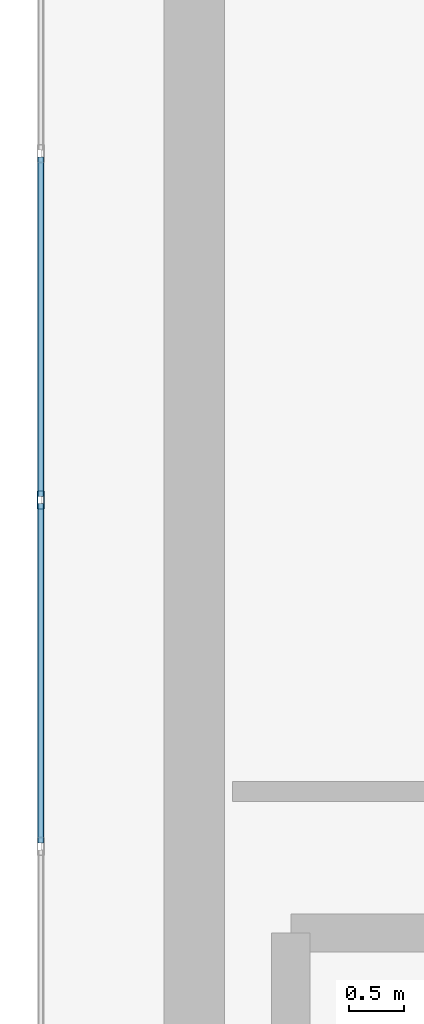
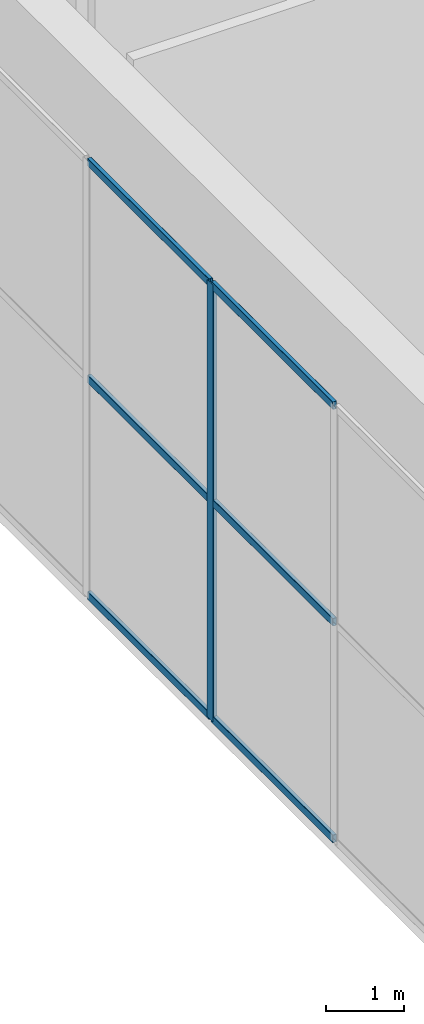
# One storey, part 5 of 23: 7 members, 1 element without a shape of its own.
"""IFC4 building model written with IfcOpenShell, lengths in metres."""

from ifc_helpers import new_model, si_unit, direction, frame, origin, origin_2d, place, context, subcontext, project, spatial, hollow_rectangle, extrude, material, layer, layer_set, material_profile, profile_set, type_object, element, aggregate, save


model = new_model("IFC4")

# Units and contexts
model_context = context("Model", 3, precision=1e-05, world=origin(), true_north=direction((0.0, 1.0)))
body_context = subcontext(model_context, "Body", "Model", "MODEL_VIEW")
ifc_project = project(units=[si_unit("LENGTHUNIT", "METRE"), si_unit("AREAUNIT", "SQUARE_METRE"), si_unit("VOLUMEUNIT", "CUBIC_METRE"), si_unit("PLANEANGLEUNIT", "RADIAN"), si_unit("MASSUNIT", "GRAM", prefix="KILO")], contexts=[model_context])

# Site, building, storey
site_placement = place(None, origin())
site = spatial("IfcSite", under=ifc_project, at=site_placement, CompositionType="ELEMENT")
building_placement = place(site_placement, origin())
building = spatial("IfcBuilding", under=site, at=building_placement, Name="An Khanh Terracotta Commons", CompositionType="ELEMENT")
storey_placement = place(building_placement, frame((0.0, 0.0, 322.0)))
storey = spatial("IfcBuildingStorey", under=building, at=storey_placement, Name="L81 Crown Heat-Recovery Plant", CompositionType="ELEMENT", Elevation=322.0)

# Curtain wall, members
ifc_material = material(Name="Anodised Aluminium 6063-T6", Category="aluminium")
ifc_layer = layer(ifc_material, 0.18994140625, Name="Anodised Aluminium 6063-T6")
ifc_layer_set = layer_set([ifc_layer], Name="Anodised Aluminium 6063-T6")
curtain_wall_type = type_object("IfcCurtainWallType", Name="CW-SYS-06", PredefinedType="USERDEFINED", material=ifc_layer_set)
curtain_wall_placement = place(storey_placement, origin())
curtain_wall = element("IfcCurtainWall", 1, at=curtain_wall_placement, inside=storey, type_object=curtain_wall_type, Name="L81 Crown Heat-Recovery Plant CW-06 Unitised Curtain Wall CW-L81-24", ObjectType="UNITISED CURTAIN WALL", PredefinedType="USERDEFINED")
ifc_material_profile_1 = material_profile(ifc_material, hollow_rectangle(XDim=0.06494140625, YDim=0.1650390625, WallThickness=0.00390625, InnerFilletRadius=0.00390625, OuterFilletRadius=0.008056640625, at=origin_2d()), Name="RHS165x65x4")
ifc_profile_set_1 = profile_set([ifc_material_profile_1], Name="Anodised Aluminium 6063-T6")
member_type_1 = type_object("IfcMemberType", Name="CWM-RHS165x65x4", PredefinedType="MULLION", material=ifc_profile_set_1)
member_1_placement = place(storey_placement, frame((20.199951171875, 22.419921875, 0.0), z_axis=(0.0, 0.0, 1.0), x_axis=(1.0, 0.0, 0.0)))
member_1 = element("IfcMember", 2, at=member_1_placement, type_object=member_type_1, Name="CW-06 mullion 4", PredefinedType="MULLION", context=body_context, shape_type="SweptSolid", body=[
    extrude(hollow_rectangle(XDim=0.06494140625, YDim=0.1650390625, WallThickness=0.00390625, InnerFilletRadius=0.00390625, OuterFilletRadius=0.008056640625, at=origin_2d()), origin(), (0.0, 0.0, 1.0), 6.800048828125),
])
ifc_material_profile_2 = material_profile(ifc_material, hollow_rectangle(XDim=0.06005859375, YDim=0.1201171875, WallThickness=0.003662109375, InnerFilletRadius=0.003662109375, OuterFilletRadius=0.007080078125, at=origin_2d()), Name="RHS120x60x3.6")
ifc_profile_set_2 = profile_set([ifc_material_profile_2], Name="Anodised Aluminium 6063-T6")
member_type_2 = type_object("IfcMemberType", Name="CWT-RHS120x60x3.6", PredefinedType="USERDEFINED", material=ifc_profile_set_2)
member_2_placement = place(storey_placement, frame((20.199951171875, 25.547607421875, 0.030029296875), z_axis=(0.0, -1.0, 0.0), x_axis=(1.0, 0.0, 0.0)))
member_2 = element("IfcMember", 3, at=member_2_placement, type_object=member_type_2, Name="CW-06 transom 3.1", ObjectType="TRANSOM", PredefinedType="USERDEFINED", context=body_context, shape_type="SweptSolid", body=[
    extrude(hollow_rectangle(XDim=0.06005859375, YDim=0.1201171875, WallThickness=0.003662109375, InnerFilletRadius=0.003662109375, OuterFilletRadius=0.007080078125, at=origin_2d()), origin(), (0.0, 0.0, 1.0), 3.09521484375),
])
member_3_placement = place(storey_placement, frame((20.199951171875, 25.547607421875, 3.39990234375), z_axis=(0.0, -1.0, 0.0), x_axis=(1.0, 0.0, 0.0)))
member_3 = element("IfcMember", 4, at=member_3_placement, type_object=member_type_2, Name="CW-06 transom 3.2", ObjectType="TRANSOM", PredefinedType="USERDEFINED", context=body_context, shape_type="SweptSolid", body=[
    extrude(hollow_rectangle(XDim=0.06005859375, YDim=0.1201171875, WallThickness=0.003662109375, InnerFilletRadius=0.003662109375, OuterFilletRadius=0.007080078125, at=origin_2d()), origin(), (0.0, 0.0, 1.0), 3.09521484375),
])
member_4_placement = place(storey_placement, frame((20.199951171875, 25.547607421875, 6.77001953125), z_axis=(0.0, -1.0, 0.0), x_axis=(1.0, 0.0, 0.0)))
member_4 = element("IfcMember", 5, at=member_4_placement, type_object=member_type_2, Name="CW-06 transom 3.3", ObjectType="TRANSOM", PredefinedType="USERDEFINED", context=body_context, shape_type="SweptSolid", body=[
    extrude(hollow_rectangle(XDim=0.06005859375, YDim=0.1201171875, WallThickness=0.003662109375, InnerFilletRadius=0.003662109375, OuterFilletRadius=0.007080078125, at=origin_2d()), origin(), (0.0, 0.0, 1.0), 3.09521484375),
])
member_5_placement = place(storey_placement, frame((20.199951171875, 22.387451171875, 0.030029296875), z_axis=(0.0, -1.0, 0.0), x_axis=(1.0, 0.0, 0.0)))
member_5 = element("IfcMember", 6, at=member_5_placement, type_object=member_type_2, Name="CW-06 transom 4.1", ObjectType="TRANSOM", PredefinedType="USERDEFINED", context=body_context, shape_type="SweptSolid", body=[
    extrude(hollow_rectangle(XDim=0.06005859375, YDim=0.1201171875, WallThickness=0.003662109375, InnerFilletRadius=0.003662109375, OuterFilletRadius=0.007080078125, at=origin_2d()), origin(), (0.0, 0.0, 1.0), 3.094970703125),
])
member_6_placement = place(storey_placement, frame((20.199951171875, 22.387451171875, 3.39990234375), z_axis=(0.0, -1.0, 0.0), x_axis=(1.0, 0.0, 0.0)))
member_6 = element("IfcMember", 7, at=member_6_placement, type_object=member_type_2, Name="CW-06 transom 4.2", ObjectType="TRANSOM", PredefinedType="USERDEFINED", context=body_context, shape_type="SweptSolid", body=[
    extrude(hollow_rectangle(XDim=0.06005859375, YDim=0.1201171875, WallThickness=0.003662109375, InnerFilletRadius=0.003662109375, OuterFilletRadius=0.007080078125, at=origin_2d()), origin(), (0.0, 0.0, 1.0), 3.094970703125),
])
member_7_placement = place(storey_placement, frame((20.199951171875, 22.387451171875, 6.77001953125), z_axis=(0.0, -1.0, 0.0), x_axis=(1.0, 0.0, 0.0)))
member_7 = element("IfcMember", 8, at=member_7_placement, type_object=member_type_2, Name="CW-06 transom 4.3", ObjectType="TRANSOM", PredefinedType="USERDEFINED", context=body_context, shape_type="SweptSolid", body=[
    extrude(hollow_rectangle(XDim=0.06005859375, YDim=0.1201171875, WallThickness=0.003662109375, InnerFilletRadius=0.003662109375, OuterFilletRadius=0.007080078125, at=origin_2d()), origin(), (0.0, 0.0, 1.0), 3.094970703125),
])
aggregate(curtain_wall, [member_1, member_2, member_3, member_4, member_5, member_6, member_7])

save(model, "model.ifc")
